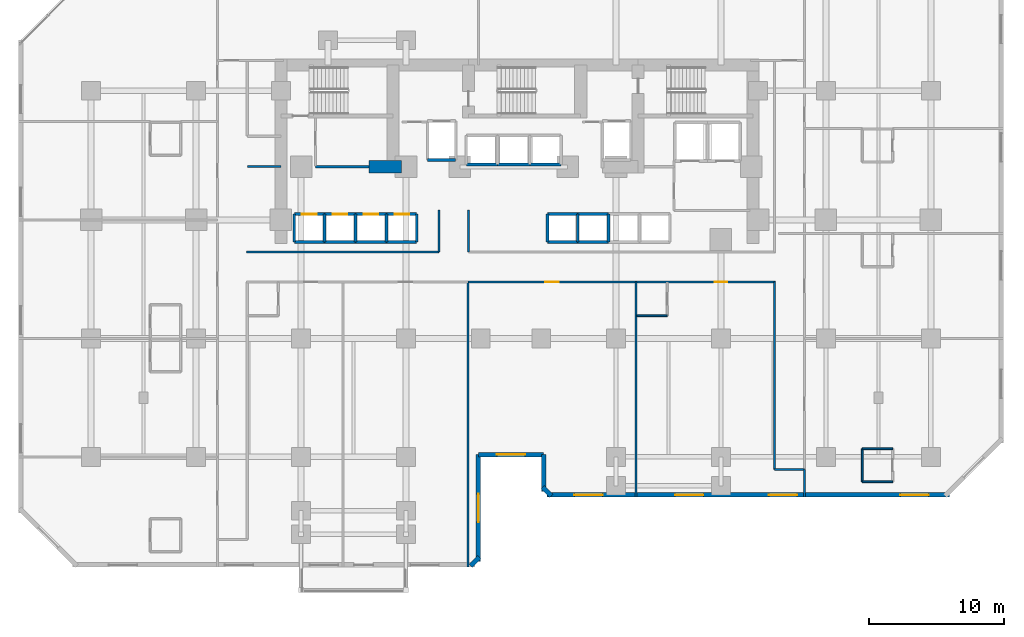
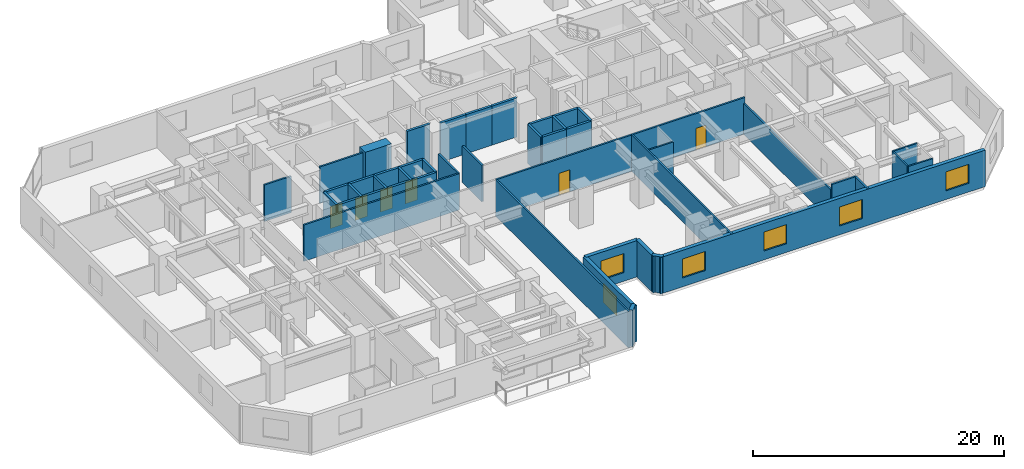
# One storey, part 6 of 11: 46 walls, 6 doors, 6 windows, 12 openings.
"""IFC4 building model written with IfcOpenShell, lengths in metres."""

from ifc_helpers import new_model, si_unit, direction, frame, frame_2d, origin, place, context, subcontext, project, spatial, rectangle, extrude, material, layer, layer_set, type_object, element, fill, save


model = new_model("IFC4")

# Units and contexts
model_context = context("Model", 3, precision=1e-05, world=origin(), true_north=direction((0.0, 1.0)))
body_context = subcontext(model_context, "Body", "Model", "MODEL_VIEW")
ifc_project = project(units=[si_unit("LENGTHUNIT", "METRE"), si_unit("AREAUNIT", "SQUARE_METRE"), si_unit("VOLUMEUNIT", "CUBIC_METRE"), si_unit("PLANEANGLEUNIT", "RADIAN"), si_unit("MASSUNIT", "GRAM", prefix="KILO")], contexts=[model_context])

# Site, building, storey
site_placement = place(None, origin())
site = spatial("IfcSite", under=ifc_project, at=site_placement, CompositionType="ELEMENT")
building_placement = place(site_placement, origin())
building = spatial("IfcBuilding", under=site, at=building_placement, Name="Kestravale Grand Hotel", CompositionType="ELEMENT")
storey_placement = place(building_placement, frame((0.0, 0.0, 45.0)))
storey = spatial("IfcBuildingStorey", under=building, at=storey_placement, Name="L10", CompositionType="ELEMENT", Elevation=45.0)

# Walls
ifc_material_1 = material(Name="Concrete f'c 70 MPa", Category="concrete")
ifc_layer_1 = layer(ifc_material_1, 0.89990234375)
ifc_layer_set_1 = layer_set([ifc_layer_1], Name="EW-CORE-900")
wall_type_1 = type_object("IfcWallType", Name="EW-CORE-900", PredefinedType="SHEAR", material=ifc_layer_set_1)
wall_1_placement = place(storey_placement, frame((28.449951171875, 32.75, 0.0), z_axis=(0.0, 0.0, 1.0), x_axis=(1.0, 0.0, 0.0)))
element("IfcWall", 1, at=wall_1_placement, inside=storey, type_object=wall_type_1, Name="L10 core shear wall S1", PredefinedType="SHEAR", context=body_context, shape_type="SweptSolid", body=[
    extrude(rectangle(XDim=2.400146484375, YDim=0.89990234375, at=frame_2d((1.2001953125, 0.0))), origin(), (0.0, 0.0, 1.0), 3.800048828125),
])
ifc_material_2 = material(Name="Precast concrete f'c 45 MPa", Category="concrete")
ifc_layer_2 = layer(ifc_material_2, 0.340087890625)
ifc_layer_set_2 = layer_set([ifc_layer_2], Name="EW-PREC-340")
wall_type_2 = type_object("IfcWallType", Name="EW-PREC-340", PredefinedType="SOLIDWALL", material=ifc_layer_set_2)
wall_2_placement = place(storey_placement, frame((36.00146484375, 3.091796875, 0.0), z_axis=(0.0, 0.0, 1.0), x_axis=(0.707106781187, 0.707106781187, 0.0)))
element("IfcWall", 2, at=wall_2_placement, inside=storey, type_object=wall_type_2, Name="L10 fluted precast facade wall 2", PredefinedType="SOLIDWALL", context=body_context, shape_type="SweptSolid", body=[
    extrude(rectangle(XDim=0.9287109375, YDim=0.340087890625, at=frame_2d((0.46435546875, 0.0))), origin(), (0.0, 0.0, 1.0), 3.5400390625),
])

# Wall, opening, window
wall_3_placement = place(storey_placement, frame((36.580078125, 3.429931640625, 0.0), z_axis=(0.0, 0.0, 1.0), x_axis=(0.0, 1.0, 0.0)))
wall_3 = element("IfcWall", 3, at=wall_3_placement, inside=storey, type_object=wall_type_2, Name="L10 fluted precast facade wall 3", PredefinedType="SOLIDWALL", context=body_context, shape_type="SweptSolid", body=[
    extrude(rectangle(XDim=7.940185546875, YDim=0.340087890625, at=frame_2d((3.97021484375, 0.0))), origin(), (0.0, 0.0, 1.0), 3.5400390625),
])
opening_1_placement = place(wall_3_placement, frame((2.919921875, 0.0, 0.85009765625)))
opening_1 = element("IfcOpeningElement", 4, at=opening_1_placement, cuts=wall_3, Name="Opening W-GUEST-2100", PredefinedType="OPENING", context=body_context, shape_type="SweptSolid", body=[
    extrude(rectangle(XDim=2.10009765625, YDim=1.85009765625, at=frame_2d((1.050048828125, 0.925048828125))), frame((0.0, 0.179931640625, 0.0), z_axis=(0.0, -1.0, 0.0), x_axis=(1.0, 0.0, 0.0)), (0.0, 0.0, 1.0), 0.360107421875),
])
ifc_material_3 = material(Name="Insulated low-E double glazing in aluminium frame", Category="aluminium")
window_type = type_object("IfcWindowType", Name="W-GUEST-2100", PartitioningType="DOUBLE_PANEL_VERTICAL", PredefinedType="WINDOW", material=ifc_material_3)
window_1_placement = place(opening_1_placement, origin())
window_1 = element("IfcWindow", 5, at=window_1_placement, inside=storey, type_object=window_type, Name="L10 exterior window 3.1", OverallHeight=1.85009765625, OverallWidth=2.10009765625, PartitioningType="SINGLE_PANEL", PredefinedType="WINDOW", context=body_context, shape_type="SweptSolid", body=[
    extrude(rectangle(XDim=2.10009765625, YDim=1.85009765625, at=frame_2d((1.050048828125, 0.925048828125))), frame((0.0, 0.030029296875, 0.0), z_axis=(0.0, -1.0, 0.0), x_axis=(1.0, 0.0, 0.0)), (0.0, 0.0, 1.0), 0.06005859375),
])
fill(opening_1, window_1)

wall_4_placement = place(storey_placement, frame((36.580078125, 11.3701171875, 0.0), z_axis=(0.0, 0.0, 1.0), x_axis=(1.0, 0.0, 0.0)))
wall_4 = element("IfcWall", 6, at=wall_4_placement, inside=storey, type_object=wall_type_2, Name="L10 fluted precast facade wall 4", PredefinedType="SOLIDWALL", context=body_context, shape_type="SweptSolid", body=[
    extrude(rectangle(XDim=4.83984375, YDim=0.340087890625, at=frame_2d((2.419921875, 0.0))), origin(), (0.0, 0.0, 1.0), 3.5400390625),
])
opening_2_placement = place(wall_4_placement, frame((1.3701171875, 0.0, 0.85009765625)))
opening_2 = element("IfcOpeningElement", 7, at=opening_2_placement, cuts=wall_4, Name="Opening W-GUEST-2100", PredefinedType="OPENING", context=body_context, shape_type="SweptSolid", body=[
    extrude(rectangle(XDim=2.10009765625, YDim=1.85009765625, at=frame_2d((1.050048828125, 0.925048828125))), frame((0.0, 0.179931640625, 0.0), z_axis=(0.0, -1.0, 0.0), x_axis=(1.0, 0.0, 0.0)), (0.0, 0.0, 1.0), 0.360107421875),
])
window_2_placement = place(opening_2_placement, origin())
window_2 = element("IfcWindow", 8, at=window_2_placement, inside=storey, type_object=window_type, Name="L10 exterior window 4.1", OverallHeight=1.85009765625, OverallWidth=2.10009765625, PartitioningType="SINGLE_PANEL", PredefinedType="WINDOW", context=body_context, shape_type="SweptSolid", body=[
    extrude(rectangle(XDim=2.10009765625, YDim=1.85009765625, at=frame_2d((1.050048828125, 0.925048828125))), frame((0.0, 0.030029296875, 0.0), z_axis=(0.0, -1.0, 0.0), x_axis=(1.0, 0.0, 0.0)), (0.0, 0.0, 1.0), 0.06005859375),
])
fill(opening_2, window_2)

# Walls
wall_5_placement = place(storey_placement, frame((41.419921875, 11.3701171875, 0.0), z_axis=(0.0, 0.0, 1.0), x_axis=(0.0, -1.0, 0.0)))
element("IfcWall", 9, at=wall_5_placement, inside=storey, type_object=wall_type_2, Name="L10 fluted precast facade wall 5", PredefinedType="SOLIDWALL", context=body_context, shape_type="SweptSolid", body=[
    extrude(rectangle(XDim=2.740234375, YDim=0.340087890625, at=frame_2d((1.3701171875, 0.0))), origin(), (0.0, 0.0, 1.0), 3.5400390625),
])
wall_6_placement = place(storey_placement, frame((41.341796875, 8.948486328125, 0.0), z_axis=(0.0, 0.0, 1.0), x_axis=(0.707238225886, -0.706975312048, 0.0)))
element("IfcWall", 10, at=wall_6_placement, inside=storey, type_object=wall_type_2, Name="L10 fluted precast facade wall 6", PredefinedType="SOLIDWALL", context=body_context, shape_type="SweptSolid", body=[
    extrude(rectangle(XDim=0.9287109375, YDim=0.340087890625, at=frame_2d((0.46435546875, 0.0))), origin(), (0.0, 0.0, 1.0), 3.5400390625),
])

# Wall, openings, windows
wall_7_placement = place(storey_placement, frame((41.679931640625, 8.3701171875, 0.0), z_axis=(0.0, 0.0, 1.0), x_axis=(1.0, 0.0, 0.0)))
wall_7 = element("IfcWall", 11, at=wall_7_placement, inside=storey, type_object=wall_type_2, Name="L10 fluted precast facade wall 7", PredefinedType="SOLIDWALL", context=body_context, shape_type="SweptSolid", body=[
    extrude(rectangle(XDim=29.89013671875, YDim=0.340087890625, at=frame_2d((14.945068359375, 0.0))), origin(), (0.0, 0.0, 1.0), 3.5400390625),
])
opening_3_placement = place(wall_7_placement, frame((2.0361328125, 0.0, 0.85009765625)))
opening_3 = element("IfcOpeningElement", 12, at=opening_3_placement, cuts=wall_7, Name="Opening W-GUEST-2100", PredefinedType="OPENING", context=body_context, shape_type="SweptSolid", body=[
    extrude(rectangle(XDim=2.10009765625, YDim=1.85009765625, at=frame_2d((1.050048828125, 0.925048828125))), frame((0.0, 0.179931640625, 0.0), z_axis=(0.0, -1.0, 0.0), x_axis=(1.0, 0.0, 0.0)), (0.0, 0.0, 1.0), 0.360107421875),
])
opening_4_placement = place(wall_7_placement, frame((9.5087890625, 0.0, 0.85009765625)))
opening_4 = element("IfcOpeningElement", 13, at=opening_4_placement, cuts=wall_7, Name="Opening W-GUEST-2100", PredefinedType="OPENING", context=body_context, shape_type="SweptSolid", body=[
    extrude(rectangle(XDim=2.10009765625, YDim=1.85009765625, at=frame_2d((1.050048828125, 0.925048828125))), frame((0.0, 0.179931640625, 0.0), z_axis=(0.0, -1.0, 0.0), x_axis=(1.0, 0.0, 0.0)), (0.0, 0.0, 1.0), 0.360107421875),
])
opening_5_placement = place(wall_7_placement, frame((16.481201171875, 0.0, 0.85009765625)))
opening_5 = element("IfcOpeningElement", 14, at=opening_5_placement, cuts=wall_7, Name="Opening W-GUEST-2100", PredefinedType="OPENING", context=body_context, shape_type="SweptSolid", body=[
    extrude(rectangle(XDim=2.10009765625, YDim=1.85009765625, at=frame_2d((1.050048828125, 0.925048828125))), frame((0.0, 0.179931640625, 0.0), z_axis=(0.0, -1.0, 0.0), x_axis=(1.0, 0.0, 0.0)), (0.0, 0.0, 1.0), 0.360107421875),
])
opening_6_placement = place(wall_7_placement, frame((26.253662109375, 0.0, 0.85009765625)))
opening_6 = element("IfcOpeningElement", 15, at=opening_6_placement, cuts=wall_7, Name="Opening W-GUEST-2100", PredefinedType="OPENING", context=body_context, shape_type="SweptSolid", body=[
    extrude(rectangle(XDim=2.10009765625, YDim=1.85009765625, at=frame_2d((1.050048828125, 0.925048828125))), frame((0.0, 0.179931640625, 0.0), z_axis=(0.0, -1.0, 0.0), x_axis=(1.0, 0.0, 0.0)), (0.0, 0.0, 1.0), 0.360107421875),
])
window_3_placement = place(opening_3_placement, origin())
window_3 = element("IfcWindow", 16, at=window_3_placement, inside=storey, type_object=window_type, Name="L10 exterior window 7.1", OverallHeight=1.85009765625, OverallWidth=2.10009765625, PartitioningType="SINGLE_PANEL", PredefinedType="WINDOW", context=body_context, shape_type="SweptSolid", body=[
    extrude(rectangle(XDim=2.10009765625, YDim=1.85009765625, at=frame_2d((1.050048828125, 0.925048828125))), frame((0.0, 0.030029296875, 0.0), z_axis=(0.0, -1.0, 0.0), x_axis=(1.0, 0.0, 0.0)), (0.0, 0.0, 1.0), 0.06005859375),
])
fill(opening_3, window_3)
window_4_placement = place(opening_4_placement, origin())
window_4 = element("IfcWindow", 17, at=window_4_placement, inside=storey, type_object=window_type, Name="L10 exterior window 7.2", OverallHeight=1.85009765625, OverallWidth=2.10009765625, PartitioningType="SINGLE_PANEL", PredefinedType="WINDOW", context=body_context, shape_type="SweptSolid", body=[
    extrude(rectangle(XDim=2.10009765625, YDim=1.85009765625, at=frame_2d((1.050048828125, 0.925048828125))), frame((0.0, 0.030029296875, 0.0), z_axis=(0.0, -1.0, 0.0), x_axis=(1.0, 0.0, 0.0)), (0.0, 0.0, 1.0), 0.06005859375),
])
fill(opening_4, window_4)
window_5_placement = place(opening_5_placement, origin())
window_5 = element("IfcWindow", 18, at=window_5_placement, inside=storey, type_object=window_type, Name="L10 exterior window 7.3", OverallHeight=1.85009765625, OverallWidth=2.10009765625, PartitioningType="SINGLE_PANEL", PredefinedType="WINDOW", context=body_context, shape_type="SweptSolid", body=[
    extrude(rectangle(XDim=2.10009765625, YDim=1.85009765625, at=frame_2d((1.050048828125, 0.925048828125))), frame((0.0, 0.030029296875, 0.0), z_axis=(0.0, -1.0, 0.0), x_axis=(1.0, 0.0, 0.0)), (0.0, 0.0, 1.0), 0.06005859375),
])
fill(opening_5, window_5)
window_6_placement = place(opening_6_placement, origin())
window_6 = element("IfcWindow", 19, at=window_6_placement, inside=storey, type_object=window_type, Name="L10 exterior window 7.4", OverallHeight=1.85009765625, OverallWidth=2.10009765625, PartitioningType="SINGLE_PANEL", PredefinedType="WINDOW", context=body_context, shape_type="SweptSolid", body=[
    extrude(rectangle(XDim=2.10009765625, YDim=1.85009765625, at=frame_2d((1.050048828125, 0.925048828125))), frame((0.0, 0.030029296875, 0.0), z_axis=(0.0, -1.0, 0.0), x_axis=(1.0, 0.0, 0.0)), (0.0, 0.0, 1.0), 0.06005859375),
])
fill(opening_6, window_6)

# Walls
ifc_material_4 = material(Name="Acoustic fire-rated gypsum board partition", Category="other")
ifc_layer_3 = layer(ifc_material_4, 0.159912109375)
ifc_layer_set_3 = layer_set([ifc_layer_3], Name="IW-CORR-160")
wall_type_3 = type_object("IfcWallType", Name="IW-CORR-160", PredefinedType="PARTITIONING", material=ifc_layer_set_3)
wall_8_placement = place(storey_placement, frame((24.47998046875, 32.75, 0.0), z_axis=(0.0, 0.0, 1.0), x_axis=(1.0, 0.0, 0.0)))
element("IfcWall", 20, at=wall_8_placement, inside=storey, type_object=wall_type_3, Name="W-L10-CWS", PredefinedType="PARTITIONING", context=body_context, shape_type="SweptSolid", body=[
    extrude(rectangle(XDim=3.969970703125, YDim=0.159912109375, at=frame_2d((1.98486328125, 0.0))), origin(), (0.0, 0.0, 1.0), 3.5400390625),
])
wall_9_placement = place(storey_placement, frame((19.35009765625, 26.409912109375, 0.0), z_axis=(0.0, 0.0, 1.0), x_axis=(1.0, 0.0, 0.0)))
element("IfcWall", 21, at=wall_9_placement, inside=storey, type_object=wall_type_3, Name="W-L10-CW-N", PredefinedType="PARTITIONING", context=body_context, shape_type="SweptSolid", body=[
    extrude(rectangle(XDim=14.2998046875, YDim=0.159912109375, at=frame_2d((7.14990234375, 0.0))), origin(), (0.0, 0.0, 1.0), 3.5400390625),
])
for number, where, z_axis, x_axis, name in (
    (22, (33.64990234375, 26.409912109375, 0.0), (0.0, 0.0, 1.0), (0.0, 1.0, 0.0), "W-L10-TRUNK-W"),
    (23, (35.85009765625, 26.409912109375, 0.0), (0.0, 0.0, 1.0), (0.0, 1.0, 0.0), "W-L10-TRUNK-E"),
):
    element("IfcWall", number, at=place(storey_placement, frame(where, z_axis=z_axis, x_axis=x_axis)), inside=storey, type_object=wall_type_3, Name=name, PredefinedType="PARTITIONING", context=body_context, shape_type="SweptSolid", body=[
        extrude(rectangle(XDim=3.14013671875, YDim=0.159912109375, at=frame_2d((1.570068359375, 0.0))), origin(), (0.0, 0.0, 1.0), 3.5400390625),
    ])

# Wall, openings, doors
wall_10_placement = place(storey_placement, frame((35.800048828125, 24.18994140625, 0.0), z_axis=(0.0, 0.0, 1.0), x_axis=(1.0, 0.0, 0.0)))
wall_10 = element("IfcWall", 24, at=wall_10_placement, inside=storey, type_object=wall_type_3, Name="W-L10-CE-S", PredefinedType="PARTITIONING", context=body_context, shape_type="SweptSolid", body=[
    extrude(rectangle(XDim=22.849853515625, YDim=0.159912109375, at=frame_2d((11.4248046875, 0.0))), origin(), (0.0, 0.0, 1.0), 3.5400390625),
])
opening_7_placement = place(wall_10_placement, frame((5.74755859375, 0.0, 0.0)))
opening_7 = element("IfcOpeningElement", 25, at=opening_7_placement, cuts=wall_10, Name="Opening D-GUEST-1000", PredefinedType="OPENING", context=body_context, shape_type="SweptSolid", body=[
    extrude(rectangle(XDim=1.0, YDim=2.14990234375, at=frame_2d((0.5, 1.074951171875))), frame((0.0, 0.08984375, 0.0), z_axis=(0.0, -1.0, 0.0), x_axis=(1.0, 0.0, 0.0)), (0.0, 0.0, 1.0), 0.179931640625),
])
opening_8_placement = place(wall_10_placement, frame((18.322509765625, 0.0, 0.0)))
opening_8 = element("IfcOpeningElement", 26, at=opening_8_placement, cuts=wall_10, Name="Opening D-GUEST-950", PredefinedType="OPENING", context=body_context, shape_type="SweptSolid", body=[
    extrude(rectangle(XDim=0.949951171875, YDim=2.10009765625, at=frame_2d((0.47509765625, 1.050048828125))), frame((0.0, 0.08984375, 0.0), z_axis=(0.0, -1.0, 0.0), x_axis=(1.0, 0.0, 0.0)), (0.0, 0.0, 1.0), 0.179931640625),
])
ifc_material_5 = material(Name="Accessible walnut veneer hotel entrance fire door", Category="wood")
door_type_1 = type_object("IfcDoorType", Name="D-GUEST-1000", OperationType="NOTDEFINED", PredefinedType="DOOR", material=ifc_material_5)
door_1_placement = place(opening_7_placement, origin())
door_1 = element("IfcDoor", 27, at=door_1_placement, inside=storey, type_object=door_type_1, Name="D-L10-AME", OperationType="SINGLE_SWING_LEFT", OverallHeight=2.14990234375, OverallWidth=1.0, PredefinedType="DOOR", context=body_context, shape_type="SweptSolid", body=[
    extrude(rectangle(XDim=1.0, YDim=2.14990234375, at=frame_2d((0.5, 1.074951171875))), frame((0.0, 0.02490234375, 0.0), z_axis=(0.0, -1.0, 0.0), x_axis=(1.0, 0.0, 0.0)), (0.0, 0.0, 1.0), 0.050048828125),
])
fill(opening_7, door_1)
ifc_material_6 = material(Name="Walnut veneer hotel guestroom entrance fire door", Category="wood")
door_type_2 = type_object("IfcDoorType", Name="D-GUEST-950", OperationType="NOTDEFINED", PredefinedType="DOOR", material=ifc_material_6)
door_2_placement = place(opening_8_placement, origin())
door_2 = element("IfcDoor", 28, at=door_2_placement, inside=storey, type_object=door_type_2, Name="D-L10-U02-ENT", OperationType="SINGLE_SWING_LEFT", OverallHeight=2.10009765625, OverallWidth=0.949951171875, PredefinedType="DOOR", context=body_context, shape_type="SweptSolid", body=[
    extrude(rectangle(XDim=0.949951171875, YDim=2.10009765625, at=frame_2d((0.47509765625, 1.050048828125))), frame((0.0, 0.02490234375, 0.0), z_axis=(0.0, -1.0, 0.0), x_axis=(1.0, 0.0, 0.0)), (0.0, 0.0, 1.0), 0.050048828125),
])
fill(opening_8, door_2)

# Walls
wall_11_placement = place(storey_placement, frame((19.409912109375, 32.780029296875, 0.0), z_axis=(0.0, 0.0, 1.0), x_axis=(1.0, 0.0, 0.0)))
element("IfcWall", 29, at=wall_11_placement, inside=storey, type_object=wall_type_3, Name="W-L10-SW-CS", PredefinedType="PARTITIONING", context=body_context, shape_type="SweptSolid", body=[
    extrude(rectangle(XDim=2.489990234375, YDim=0.159912109375, at=frame_2d((1.2451171875, 0.0))), origin(), (0.0, 0.0, 1.0), 3.5400390625),
])
wall_12_placement = place(storey_placement, frame((58.590087890625, 10.25, 0.0), z_axis=(0.0, 0.0, 1.0), x_axis=(0.0, 1.0, 0.0)))
element("IfcWall", 30, at=wall_12_placement, inside=storey, type_object=wall_type_3, Name="W-L10-SE-W", PredefinedType="PARTITIONING", context=body_context, shape_type="SweptSolid", body=[
    extrude(rectangle(XDim=13.93994140625, YDim=0.159912109375, at=frame_2d((6.969970703125, 0.0))), origin(), (0.0, 0.0, 1.0), 3.00390625),
])
ifc_material_7 = material(Name="Moisture-resistant tile-backer plumbing chase wall", Category="other")
ifc_layer_4 = layer(ifc_material_7, 0.139892578125)
ifc_layer_set_4 = layer_set([ifc_layer_4], Name="IW-PLB-140")
wall_type_4 = type_object("IfcWallType", Name="IW-PLB-140", PredefinedType="PLUMBINGWALL", material=ifc_layer_set_4)
wall_13_placement = place(storey_placement, frame((48.35498046875, 21.679931640625, 0.0), z_axis=(0.0, 0.0, 1.0), x_axis=(1.0, 0.0, 0.0)))
element("IfcWall", 31, at=wall_13_placement, inside=storey, type_object=wall_type_4, Name="W-L10-U02-BS", PredefinedType="PLUMBINGWALL", context=body_context, shape_type="SweptSolid", body=[
    extrude(rectangle(XDim=2.25, YDim=0.139892578125, at=frame_2d((1.125, 0.0))), origin(), (0.0, 0.0, 1.0), 3.5400390625),
])
wall_14_placement = place(storey_placement, frame((65.10009765625, 9.35009765625, 0.0), z_axis=(0.0, 0.0, 1.0), x_axis=(0.0, 1.0, 0.0)))
element("IfcWall", 32, at=wall_14_placement, inside=storey, type_object=wall_type_4, Name="W-L10-U07-BW", PredefinedType="PLUMBINGWALL", context=body_context, shape_type="SweptSolid", body=[
    extrude(rectangle(XDim=2.449951171875, YDim=0.139892578125, at=frame_2d((1.22509765625, 0.0))), origin(), (0.0, 0.0, 1.0), 3.5400390625),
])
for number, where, z_axis, x_axis, name in (
    (33, (65.10009765625, 9.35009765625, 0.0), (0.0, 0.0, 1.0), (1.0, 0.0, 0.0), "W-L10-U07-BS"),
    (34, (65.10009765625, 11.800048828125, 0.0), (0.0, 0.0, 1.0), (1.0, 0.0, 0.0), "W-L10-U07-BN"),
):
    element("IfcWall", number, at=place(storey_placement, frame(where, z_axis=z_axis, x_axis=x_axis)), inside=storey, type_object=wall_type_4, Name=name, PredefinedType="PLUMBINGWALL", context=body_context, shape_type="SweptSolid", body=[
        extrude(rectangle(XDim=2.25, YDim=0.139892578125, at=frame_2d((1.125, 0.0))), origin(), (0.0, 0.0, 1.0), 3.5400390625),
    ])
ifc_material_8 = material(Name="Concrete f'c 45 MPa", Category="concrete")
ifc_layer_5 = layer(ifc_material_8, 0.199951171875)
ifc_layer_set_5 = layer_set([ifc_layer_5], Name="IW-SHAFT-200")
wall_type_5 = type_object("IfcWallType", Name="IW-SHAFT-200", PredefinedType="SHEAR", material=ifc_layer_set_5)
for number, where, z_axis, x_axis, name in (
    (35, (22.905029296875, 27.169921875, 0.0), (0.0, 0.0, 1.0), (0.0, 1.0, 0.0), "L10 PL-L1 west shaft wall"),
    (36, (25.14990234375, 27.169921875, 0.0), (0.0, 0.0, 1.0), (0.0, 1.0, 0.0), "L10 PL-L2 west shaft wall"),
    (37, (27.449951171875, 27.169921875, 0.0), (0.0, 0.0, 1.0), (0.0, 1.0, 0.0), "L10 PL-L3 west shaft wall"),
    (38, (29.75, 27.169921875, 0.0), (0.0, 0.0, 1.0), (0.0, 1.0, 0.0), "L10 PL-L4 west shaft wall"),
    (39, (31.9951171875, 27.169921875, 0.0), (0.0, 0.0, 1.0), (0.0, 1.0, 0.0), "L10 PL-L4 east shaft wall"),
    (40, (41.705078125, 27.169921875, 0.0), (0.0, 0.0, 1.0), (0.0, 1.0, 0.0), "L10 PL-M1 west shaft wall"),
    (41, (43.949951171875, 27.169921875, 0.0), (0.0, 0.0, 1.0), (0.0, 1.0, 0.0), "L10 PL-M2 west shaft wall"),
    (42, (46.25, 27.169921875, 0.0), (0.0, 0.0, 1.0), (0.0, 1.0, 0.0), "L10 PL-M3 west shaft wall"),
):
    element("IfcWall", number, at=place(storey_placement, frame(where, z_axis=z_axis, x_axis=x_axis)), inside=storey, type_object=wall_type_5, Name=name, PredefinedType="SHEAR", context=body_context, shape_type="SweptSolid", body=[
        extrude(rectangle(XDim=2.06005859375, YDim=0.199951171875, at=frame_2d((1.030029296875, 0.0))), origin(), (0.0, 0.0, 1.0), 3.800048828125),
    ])

# Wall, opening, door
ifc_material_9 = material(Name="Concrete f'c 45 MPa", Category="concrete")
ifc_layer_6 = layer(ifc_material_9, 0.219970703125)
ifc_layer_set_6 = layer_set([ifc_layer_6], Name="IW-SHAFT-220")
wall_type_6 = type_object("IfcWallType", Name="IW-SHAFT-220", PredefinedType="SHEAR", material=ifc_layer_set_6)
wall_15_placement = place(storey_placement, frame((22.905029296875, 29.22998046875, 0.0), z_axis=(0.0, 0.0, 1.0), x_axis=(1.0, 0.0, 0.0)))
wall_15 = element("IfcWall", 43, at=wall_15_placement, inside=storey, type_object=wall_type_6, Name="L10 PL-L1 north shaft wall", PredefinedType="SHEAR", context=body_context, shape_type="SweptSolid", body=[
    extrude(rectangle(XDim=2.244873046875, YDim=0.219970703125, at=frame_2d((1.12255859375, 0.0))), origin(), (0.0, 0.0, 1.0), 3.800048828125),
])
opening_9_placement = place(wall_15_placement, frame((0.544921875, 0.0, 0.0)))
opening_9 = element("IfcOpeningElement", 44, at=opening_9_placement, cuts=wall_15, Name="Opening LD-PAX-1100", PredefinedType="OPENING", context=body_context, shape_type="SweptSolid", body=[
    extrude(rectangle(XDim=1.10009765625, YDim=2.14990234375, at=frame_2d((0.550048828125, 1.074951171875))), frame((0.0, 0.119873046875, 0.0), z_axis=(0.0, -1.0, 0.0), x_axis=(1.0, 0.0, 0.0)), (0.0, 0.0, 1.0), 0.239990234375),
])
ifc_material_10 = material(Name="Champagne-bronze center-opening sliding elevator landing door", Category="steel")
door_type_3 = type_object("IfcDoorType", Name="LD-PAX-1100", OperationType="NOTDEFINED", PredefinedType="DOOR", material=ifc_material_10)
door_3_placement = place(opening_9_placement, origin())
door_3 = element("IfcDoor", 45, at=door_3_placement, inside=storey, type_object=door_type_3, Name="L10 PL-L1 elevator landing sliding door", OperationType="DOUBLE_DOOR_SLIDING", OverallHeight=2.14990234375, OverallWidth=1.10009765625, PredefinedType="DOOR", context=body_context, shape_type="SweptSolid", body=[
    extrude(rectangle(XDim=1.10009765625, YDim=2.14990234375, at=frame_2d((0.550048828125, 1.074951171875))), frame((0.0, 0.02490234375, 0.0), z_axis=(0.0, -1.0, 0.0), x_axis=(1.0, 0.0, 0.0)), (0.0, 0.0, 1.0), 0.050048828125),
])
fill(opening_9, door_3)

# Wall
wall_16_placement = place(storey_placement, frame((22.905029296875, 27.169921875, 0.0), z_axis=(0.0, 0.0, 1.0), x_axis=(1.0, 0.0, 0.0)))
element("IfcWall", 46, at=wall_16_placement, inside=storey, type_object=wall_type_6, Name="L10 PL-L1 south shaft wall", PredefinedType="SHEAR", context=body_context, shape_type="SweptSolid", body=[
    extrude(rectangle(XDim=2.244873046875, YDim=0.219970703125, at=frame_2d((1.12255859375, 0.0))), origin(), (0.0, 0.0, 1.0), 3.800048828125),
])

# Wall, opening, door
wall_17_placement = place(storey_placement, frame((25.14990234375, 29.22998046875, 0.0), z_axis=(0.0, 0.0, 1.0), x_axis=(1.0, 0.0, 0.0)))
wall_17 = element("IfcWall", 47, at=wall_17_placement, inside=storey, type_object=wall_type_6, Name="L10 PL-L2 north shaft wall", PredefinedType="SHEAR", context=body_context, shape_type="SweptSolid", body=[
    extrude(rectangle(XDim=2.300048828125, YDim=0.219970703125, at=frame_2d((1.14990234375, 0.0))), origin(), (0.0, 0.0, 1.0), 3.800048828125),
])
opening_10_placement = place(wall_17_placement, frame((0.60009765625, 0.0, 0.0)))
opening_10 = element("IfcOpeningElement", 48, at=opening_10_placement, cuts=wall_17, Name="Opening LD-PAX-1100", PredefinedType="OPENING", context=body_context, shape_type="SweptSolid", body=[
    extrude(rectangle(XDim=1.10009765625, YDim=2.14990234375, at=frame_2d((0.550048828125, 1.074951171875))), frame((0.0, 0.119873046875, 0.0), z_axis=(0.0, -1.0, 0.0), x_axis=(1.0, 0.0, 0.0)), (0.0, 0.0, 1.0), 0.239990234375),
])
door_4_placement = place(opening_10_placement, origin())
door_4 = element("IfcDoor", 49, at=door_4_placement, inside=storey, type_object=door_type_3, Name="L10 PL-L2 elevator landing sliding door", OperationType="DOUBLE_DOOR_SLIDING", OverallHeight=2.14990234375, OverallWidth=1.10009765625, PredefinedType="DOOR", context=body_context, shape_type="SweptSolid", body=[
    extrude(rectangle(XDim=1.10009765625, YDim=2.14990234375, at=frame_2d((0.550048828125, 1.074951171875))), frame((0.0, 0.02490234375, 0.0), z_axis=(0.0, -1.0, 0.0), x_axis=(1.0, 0.0, 0.0)), (0.0, 0.0, 1.0), 0.050048828125),
])
fill(opening_10, door_4)

# Wall
wall_18_placement = place(storey_placement, frame((25.14990234375, 27.169921875, 0.0), z_axis=(0.0, 0.0, 1.0), x_axis=(1.0, 0.0, 0.0)))
element("IfcWall", 50, at=wall_18_placement, inside=storey, type_object=wall_type_6, Name="L10 PL-L2 south shaft wall", PredefinedType="SHEAR", context=body_context, shape_type="SweptSolid", body=[
    extrude(rectangle(XDim=2.300048828125, YDim=0.219970703125, at=frame_2d((1.14990234375, 0.0))), origin(), (0.0, 0.0, 1.0), 3.800048828125),
])

# Wall, opening, door
wall_19_placement = place(storey_placement, frame((27.449951171875, 29.22998046875, 0.0), z_axis=(0.0, 0.0, 1.0), x_axis=(1.0, 0.0, 0.0)))
wall_19 = element("IfcWall", 51, at=wall_19_placement, inside=storey, type_object=wall_type_6, Name="L10 PL-L3 north shaft wall", PredefinedType="SHEAR", context=body_context, shape_type="SweptSolid", body=[
    extrude(rectangle(XDim=2.300048828125, YDim=0.219970703125, at=frame_2d((1.14990234375, 0.0))), origin(), (0.0, 0.0, 1.0), 3.800048828125),
])
opening_11_placement = place(wall_19_placement, frame((0.60009765625, 0.0, 0.0)))
opening_11 = element("IfcOpeningElement", 52, at=opening_11_placement, cuts=wall_19, Name="Opening LD-PAX-1100", PredefinedType="OPENING", context=body_context, shape_type="SweptSolid", body=[
    extrude(rectangle(XDim=1.10009765625, YDim=2.14990234375, at=frame_2d((0.550048828125, 1.074951171875))), frame((0.0, 0.119873046875, 0.0), z_axis=(0.0, -1.0, 0.0), x_axis=(1.0, 0.0, 0.0)), (0.0, 0.0, 1.0), 0.239990234375),
])
door_5_placement = place(opening_11_placement, origin())
door_5 = element("IfcDoor", 53, at=door_5_placement, inside=storey, type_object=door_type_3, Name="L10 PL-L3 elevator landing sliding door", OperationType="DOUBLE_DOOR_SLIDING", OverallHeight=2.14990234375, OverallWidth=1.10009765625, PredefinedType="DOOR", context=body_context, shape_type="SweptSolid", body=[
    extrude(rectangle(XDim=1.10009765625, YDim=2.14990234375, at=frame_2d((0.550048828125, 1.074951171875))), frame((0.0, 0.02490234375, 0.0), z_axis=(0.0, -1.0, 0.0), x_axis=(1.0, 0.0, 0.0)), (0.0, 0.0, 1.0), 0.050048828125),
])
fill(opening_11, door_5)

# Wall
wall_20_placement = place(storey_placement, frame((27.449951171875, 27.169921875, 0.0), z_axis=(0.0, 0.0, 1.0), x_axis=(1.0, 0.0, 0.0)))
element("IfcWall", 54, at=wall_20_placement, inside=storey, type_object=wall_type_6, Name="L10 PL-L3 south shaft wall", PredefinedType="SHEAR", context=body_context, shape_type="SweptSolid", body=[
    extrude(rectangle(XDim=2.300048828125, YDim=0.219970703125, at=frame_2d((1.14990234375, 0.0))), origin(), (0.0, 0.0, 1.0), 3.800048828125),
])

# Wall, opening, door
wall_21_placement = place(storey_placement, frame((29.75, 29.22998046875, 0.0), z_axis=(0.0, 0.0, 1.0), x_axis=(1.0, 0.0, 0.0)))
wall_21 = element("IfcWall", 55, at=wall_21_placement, inside=storey, type_object=wall_type_6, Name="L10 PL-L4 north shaft wall", PredefinedType="SHEAR", context=body_context, shape_type="SweptSolid", body=[
    extrude(rectangle(XDim=2.2451171875, YDim=0.219970703125, at=frame_2d((1.12255859375, 0.0))), origin(), (0.0, 0.0, 1.0), 3.800048828125),
])
opening_12_placement = place(wall_21_placement, frame((0.60009765625, 0.0, 0.0)))
opening_12 = element("IfcOpeningElement", 56, at=opening_12_placement, cuts=wall_21, Name="Opening LD-PAX-1100", PredefinedType="OPENING", context=body_context, shape_type="SweptSolid", body=[
    extrude(rectangle(XDim=1.10009765625, YDim=2.14990234375, at=frame_2d((0.550048828125, 1.074951171875))), frame((0.0, 0.119873046875, 0.0), z_axis=(0.0, -1.0, 0.0), x_axis=(1.0, 0.0, 0.0)), (0.0, 0.0, 1.0), 0.239990234375),
])
door_6_placement = place(opening_12_placement, origin())
door_6 = element("IfcDoor", 57, at=door_6_placement, inside=storey, type_object=door_type_3, Name="L10 PL-L4 elevator landing sliding door", OperationType="DOUBLE_DOOR_SLIDING", OverallHeight=2.14990234375, OverallWidth=1.10009765625, PredefinedType="DOOR", context=body_context, shape_type="SweptSolid", body=[
    extrude(rectangle(XDim=1.10009765625, YDim=2.14990234375, at=frame_2d((0.550048828125, 1.074951171875))), frame((0.0, 0.02490234375, 0.0), z_axis=(0.0, -1.0, 0.0), x_axis=(1.0, 0.0, 0.0)), (0.0, 0.0, 1.0), 0.050048828125),
])
fill(opening_12, door_6)

# Walls
wall_22_placement = place(storey_placement, frame((29.75, 27.169921875, 0.0), z_axis=(0.0, 0.0, 1.0), x_axis=(1.0, 0.0, 0.0)))
element("IfcWall", 58, at=wall_22_placement, inside=storey, type_object=wall_type_6, Name="L10 PL-L4 south shaft wall", PredefinedType="SHEAR", context=body_context, shape_type="SweptSolid", body=[
    extrude(rectangle(XDim=2.2451171875, YDim=0.219970703125, at=frame_2d((1.12255859375, 0.0))), origin(), (0.0, 0.0, 1.0), 3.800048828125),
])
for number, where, z_axis, x_axis, name in (
    (59, (41.705078125, 29.22998046875, 0.0), (0.0, 0.0, 1.0), (1.0, 0.0, 0.0), "L10 PL-M1 north shaft wall"),
    (60, (41.705078125, 27.169921875, 0.0), (0.0, 0.0, 1.0), (1.0, 0.0, 0.0), "L10 PL-M1 south shaft wall"),
):
    element("IfcWall", number, at=place(storey_placement, frame(where, z_axis=z_axis, x_axis=x_axis)), inside=storey, type_object=wall_type_6, Name=name, PredefinedType="SHEAR", context=body_context, shape_type="SweptSolid", body=[
        extrude(rectangle(XDim=2.244873046875, YDim=0.219970703125, at=frame_2d((1.12255859375, 0.0))), origin(), (0.0, 0.0, 1.0), 3.800048828125),
    ])
for number, where, z_axis, x_axis, name in (
    (61, (43.949951171875, 29.22998046875, 0.0), (0.0, 0.0, 1.0), (1.0, 0.0, 0.0), "L10 PL-M2 north shaft wall"),
    (62, (43.949951171875, 27.169921875, 0.0), (0.0, 0.0, 1.0), (1.0, 0.0, 0.0), "L10 PL-M2 south shaft wall"),
):
    element("IfcWall", number, at=place(storey_placement, frame(where, z_axis=z_axis, x_axis=x_axis)), inside=storey, type_object=wall_type_6, Name=name, PredefinedType="SHEAR", context=body_context, shape_type="SweptSolid", body=[
        extrude(rectangle(XDim=2.300048828125, YDim=0.219970703125, at=frame_2d((1.14990234375, 0.0))), origin(), (0.0, 0.0, 1.0), 3.800048828125),
    ])
wall_23_placement = place(storey_placement, frame((35.679931640625, 32.919921875, 0.0), z_axis=(0.0, 0.0, 1.0), x_axis=(1.0, 0.0, 0.0)))
element("IfcWall", 63, at=wall_23_placement, inside=storey, type_object=wall_type_6, Name="L10 PL-X1 south shaft wall", PredefinedType="SHEAR", context=body_context, shape_type="SweptSolid", body=[
    extrude(rectangle(XDim=2.320068359375, YDim=0.219970703125, at=frame_2d((1.16015625, 0.0))), origin(), (0.0, 0.0, 1.0), 3.800048828125),
])
wall_24_placement = place(storey_placement, frame((38.0, 32.919921875, 0.0), z_axis=(0.0, 0.0, 1.0), x_axis=(1.0, 0.0, 0.0)))
element("IfcWall", 64, at=wall_24_placement, inside=storey, type_object=wall_type_6, Name="L10 PL-X2 south shaft wall", PredefinedType="SHEAR", context=body_context, shape_type="SweptSolid", body=[
    extrude(rectangle(XDim=2.39990234375, YDim=0.219970703125, at=frame_2d((1.199951171875, 0.0))), origin(), (0.0, 0.0, 1.0), 3.800048828125),
])
wall_25_placement = place(storey_placement, frame((40.39990234375, 32.919921875, 0.0), z_axis=(0.0, 0.0, 1.0), x_axis=(1.0, 0.0, 0.0)))
element("IfcWall", 65, at=wall_25_placement, inside=storey, type_object=wall_type_6, Name="L10 PL-X3 south shaft wall", PredefinedType="SHEAR", context=body_context, shape_type="SweptSolid", body=[
    extrude(rectangle(XDim=2.320068359375, YDim=0.219970703125, at=frame_2d((1.16015625, 0.0))), origin(), (0.0, 0.0, 1.0), 3.800048828125),
])
wall_26_placement = place(storey_placement, frame((32.804931640625, 33.2451171875, 0.0), z_axis=(0.0, 0.0, 1.0), x_axis=(1.0, 0.0, 0.0)))
element("IfcWall", 66, at=wall_26_placement, inside=storey, type_object=wall_type_6, Name="L10 FL-1 south shaft wall", PredefinedType="SHEAR", context=body_context, shape_type="SweptSolid", body=[
    extrude(rectangle(XDim=2.090087890625, YDim=0.219970703125, at=frame_2d((1.044921875, 0.0))), origin(), (0.0, 0.0, 1.0), 3.800048828125),
])
ifc_material_11 = material(Name="Double-stud STC 52 acoustic demising partition", Category="other")
ifc_layer_7 = layer(ifc_material_11, 0.14990234375)
ifc_layer_set_7 = layer_set([ifc_layer_7], Name="IW-UNIT-150")
wall_type_7 = type_object("IfcWallType", Name="IW-UNIT-150", PredefinedType="PARTITIONING", material=ifc_layer_set_7)
wall_27_placement = place(storey_placement, frame((58.590087890625, 10.25, 0.0), z_axis=(0.0, 0.0, 1.0), x_axis=(1.0, 0.0, 0.0)))
element("IfcWall", 67, at=wall_27_placement, inside=storey, type_object=wall_type_7, Name="W-L10-SE-S", PredefinedType="PARTITIONING", context=body_context, shape_type="SweptSolid", body=[
    extrude(rectangle(XDim=2.219970703125, YDim=0.14990234375, at=frame_2d((1.10986328125, 0.0))), origin(), (0.0, 0.0, 1.0), 3.5400390625),
])
wall_28_placement = place(storey_placement, frame((35.800048828125, 3.02001953125, 0.0), z_axis=(0.0, 0.0, 1.0), x_axis=(0.0, 1.0, 0.0)))
element("IfcWall", 68, at=wall_28_placement, inside=storey, type_object=wall_type_7, Name="W-L10-MID-S", PredefinedType="PARTITIONING", context=body_context, shape_type="SweptSolid", body=[
    extrude(rectangle(XDim=21.14990234375, YDim=0.14990234375, at=frame_2d((10.574951171875, 0.0))), origin(), (0.0, 0.0, 1.0), 3.5400390625),
])
wall_29_placement = place(storey_placement, frame((48.294921875, 8.219970703125, 0.0), z_axis=(0.0, 0.0, 1.0), x_axis=(0.0, 1.0, 0.0)))
element("IfcWall", 69, at=wall_29_placement, inside=storey, type_object=wall_type_7, Name="W-L10-ES-1", PredefinedType="PARTITIONING", context=body_context, shape_type="SweptSolid", body=[
    extrude(rectangle(XDim=15.969970703125, YDim=0.14990234375, at=frame_2d((7.98486328125, 0.0))), origin(), (0.0, 0.0, 1.0), 3.5400390625),
])
wall_30_placement = place(storey_placement, frame((60.81005859375, 8.219970703125, 0.0), z_axis=(0.0, 0.0, 1.0), x_axis=(0.0, 1.0, 0.0)))
element("IfcWall", 70, at=wall_30_placement, inside=storey, type_object=wall_type_7, Name="W-L10-SE-EXT", PredefinedType="PARTITIONING", context=body_context, shape_type="SweptSolid", body=[
    extrude(rectangle(XDim=2.030029296875, YDim=0.14990234375, at=frame_2d((1.01513671875, 0.0))), origin(), (0.0, 0.0, 1.0), 3.5400390625),
])

save(model, "model.ifc")
